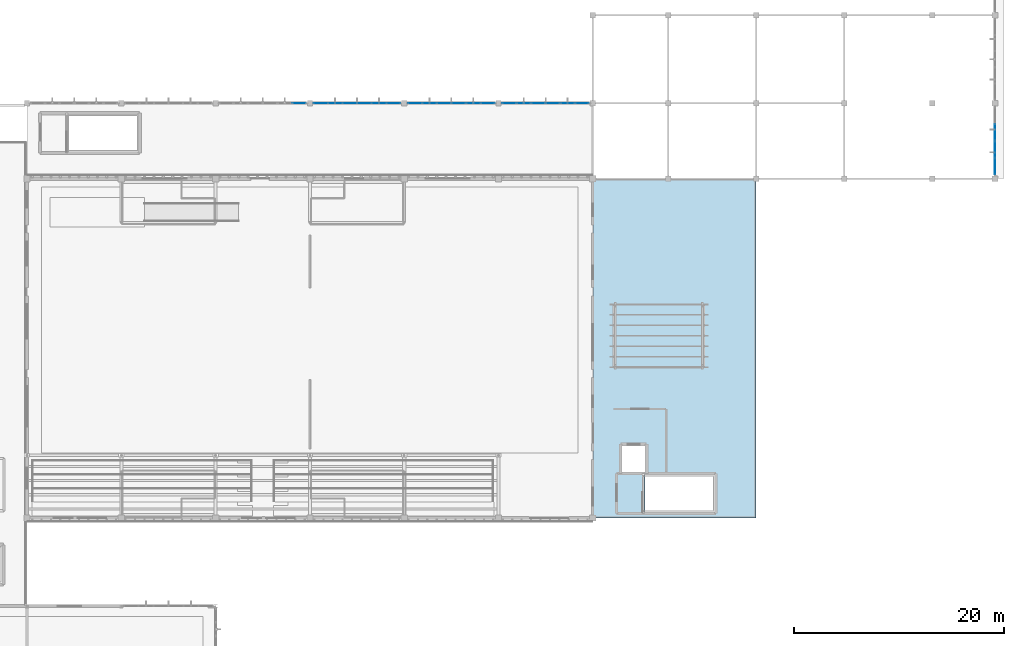
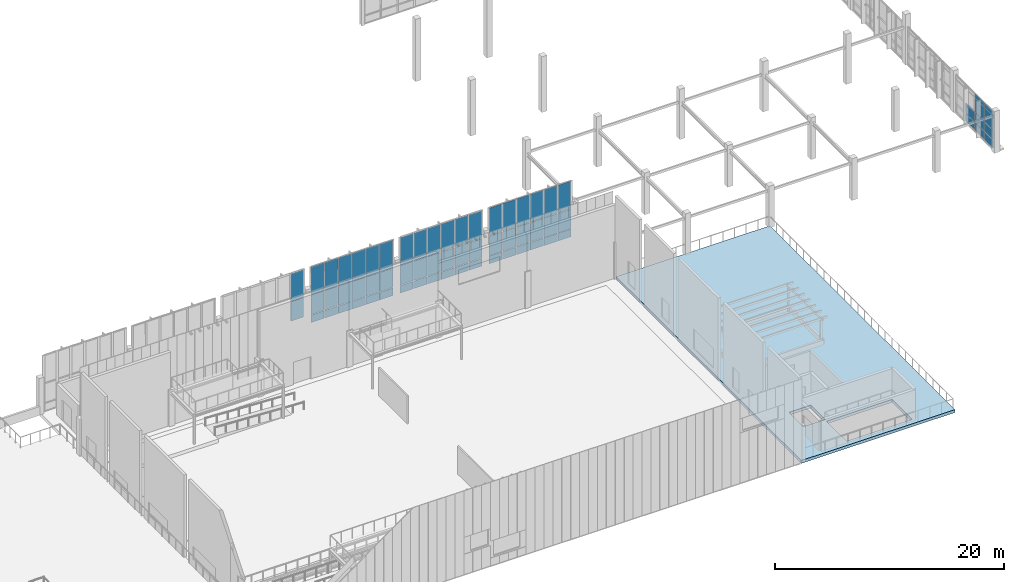
# One storey, part 38 of 67: 64 plates, 1 slab, 5 elements without a shape of their own.
"""IFC4 building model written with IfcOpenShell, lengths in metres."""

from ifc_helpers import new_model, si_unit, direction, frame, origin, origin_2d, place, context, subcontext, project, spatial, polyline, rectangle, outline, extrude, material, layer, layer_set, type_object, element, aggregate, save


model = new_model("IFC4")

# Units and contexts
model_context = context("Model", 3, precision=1e-05, world=origin(), true_north=direction((0.0, 1.0)))
body_context = subcontext(model_context, "Body", "Model", "MODEL_VIEW")
ifc_project = project(units=[si_unit("LENGTHUNIT", "METRE"), si_unit("AREAUNIT", "SQUARE_METRE"), si_unit("VOLUMEUNIT", "CUBIC_METRE"), si_unit("PLANEANGLEUNIT", "RADIAN"), si_unit("MASSUNIT", "GRAM", prefix="KILO")], contexts=[model_context])

# Site, building, storey
site_placement = place(None, origin())
site = spatial("IfcSite", under=ifc_project, at=site_placement, CompositionType="ELEMENT")
building_placement = place(site_placement, origin())
building = spatial("IfcBuilding", under=site, at=building_placement, Name="Tizgana Railside Sports Hall", CompositionType="ELEMENT")
storey_placement = place(building_placement, frame((0.0, 0.0, 12.0)))
storey = spatial("IfcBuildingStorey", under=building, at=storey_placement, Name="L02", CompositionType="ELEMENT", Elevation=12.0)

# Curtain wall, plates
ifc_material_1 = material(Name="Anodised aluminium and glass", Category="aluminium")
curtain_wall_type_1 = type_object("IfcCurtainWallType", Name="Unitised Curtain Wall Passage 1800", PredefinedType="NOTDEFINED", material=ifc_material_1)
curtain_wall_1_placement = place(storey_placement, origin())
curtain_wall_1 = element("IfcCurtainWall", 1, at=curtain_wall_1_placement, inside=storey, type_object=curtain_wall_type_1, Name="L02 Curtain Wall CW-0029", PredefinedType="NOTDEFINED")
ifc_material_2 = material(Name="Double low-E laminated glass", Category="glass")
ifc_layer_1 = layer(ifc_material_2, 0.033935546875, Name="Double low-E laminated glass")
ifc_layer_set_1 = layer_set([ifc_layer_1], Name="Double low-E laminated glass")
plate_type_1 = type_object("IfcPlateType", Name="Acoustic Laminated Glazing Panel 34", PredefinedType="CURTAIN_PANEL", material=ifc_layer_set_1)
plate_1_placement = place(storey_placement, frame((125.822998046875, 80.39990234375, 0.05517578125), z_axis=(0.0, 0.0, 1.0), x_axis=(1.0, 0.0, 0.0)))
plate_1 = element("IfcPlate", 2, at=plate_1_placement, type_object=plate_type_1, Name="CW-06 panel 1.1", PredefinedType="CURTAIN_PANEL", context=body_context, shape_type="SweptSolid", body=[
    extrude(rectangle(XDim=1.285888671875, YDim=0.033935546875, at=origin_2d()), origin(), (0.0, 0.0, 1.0), 0.8173828125),
])
plate_2_placement = place(storey_placement, frame((125.822998046875, 80.39990234375, 0.927734375), z_axis=(0.0, 0.0, 1.0), x_axis=(1.0, 0.0, 0.0)))
plate_2 = element("IfcPlate", 3, at=plate_2_placement, type_object=plate_type_1, Name="CW-06 panel 1.2", PredefinedType="CURTAIN_PANEL", context=body_context, shape_type="SweptSolid", body=[
    extrude(rectangle(XDim=1.285888671875, YDim=0.033935546875, at=origin_2d()), origin(), (0.0, 0.0, 1.0), 2.074951171875),
])
plate_3_placement = place(storey_placement, frame((125.822998046875, 80.39990234375, 3.0576171875), z_axis=(0.0, 0.0, 1.0), x_axis=(1.0, 0.0, 0.0)))
plate_3 = element("IfcPlate", 4, at=plate_3_placement, type_object=plate_type_1, Name="CW-06 panel 1.3", PredefinedType="CURTAIN_PANEL", context=body_context, shape_type="SweptSolid", body=[
    extrude(rectangle(XDim=1.285888671875, YDim=0.033935546875, at=origin_2d()), origin(), (0.0, 0.0, 1.0), 2.947509765625),
])
plate_4_placement = place(storey_placement, frame((127.202392578125, 80.39990234375, 0.05517578125), z_axis=(0.0, 0.0, 1.0), x_axis=(1.0, 0.0, 0.0)))
plate_4 = element("IfcPlate", 5, at=plate_4_placement, type_object=plate_type_1, Name="CW-06 panel 2.1", PredefinedType="CURTAIN_PANEL", context=body_context, shape_type="SweptSolid", body=[
    extrude(rectangle(XDim=1.3232421875, YDim=0.033935546875, at=origin_2d()), origin(), (0.0, 0.0, 1.0), 0.8173828125),
])
plate_5_placement = place(storey_placement, frame((127.202392578125, 80.39990234375, 0.927734375), z_axis=(0.0, 0.0, 1.0), x_axis=(1.0, 0.0, 0.0)))
plate_5 = element("IfcPlate", 6, at=plate_5_placement, type_object=plate_type_1, Name="CW-06 panel 2.2", PredefinedType="CURTAIN_PANEL", context=body_context, shape_type="SweptSolid", body=[
    extrude(rectangle(XDim=1.3232421875, YDim=0.033935546875, at=origin_2d()), origin(), (0.0, 0.0, 1.0), 2.074951171875),
])
plate_6_placement = place(storey_placement, frame((127.202392578125, 80.39990234375, 3.0576171875), z_axis=(0.0, 0.0, 1.0), x_axis=(1.0, 0.0, 0.0)))
plate_6 = element("IfcPlate", 7, at=plate_6_placement, type_object=plate_type_1, Name="CW-06 panel 2.3", PredefinedType="CURTAIN_PANEL", context=body_context, shape_type="SweptSolid", body=[
    extrude(rectangle(XDim=1.3232421875, YDim=0.033935546875, at=origin_2d()), origin(), (0.0, 0.0, 1.0), 2.947509765625),
])
plate_7_placement = place(storey_placement, frame((128.600830078125, 80.39990234375, 0.05517578125), z_axis=(0.0, 0.0, 1.0), x_axis=(1.0, 0.0, 0.0)))
plate_7 = element("IfcPlate", 8, at=plate_7_placement, type_object=plate_type_1, Name="CW-06 panel 3.1", PredefinedType="CURTAIN_PANEL", context=body_context, shape_type="SweptSolid", body=[
    extrude(rectangle(XDim=1.3232421875, YDim=0.033935546875, at=origin_2d()), origin(), (0.0, 0.0, 1.0), 0.8173828125),
])
plate_8_placement = place(storey_placement, frame((128.600830078125, 80.39990234375, 0.927734375), z_axis=(0.0, 0.0, 1.0), x_axis=(1.0, 0.0, 0.0)))
plate_8 = element("IfcPlate", 9, at=plate_8_placement, type_object=plate_type_1, Name="CW-06 panel 3.2", PredefinedType="CURTAIN_PANEL", context=body_context, shape_type="SweptSolid", body=[
    extrude(rectangle(XDim=1.3232421875, YDim=0.033935546875, at=origin_2d()), origin(), (0.0, 0.0, 1.0), 2.074951171875),
])
plate_9_placement = place(storey_placement, frame((128.600830078125, 80.39990234375, 3.0576171875), z_axis=(0.0, 0.0, 1.0), x_axis=(1.0, 0.0, 0.0)))
plate_9 = element("IfcPlate", 10, at=plate_9_placement, type_object=plate_type_1, Name="CW-06 panel 3.3", PredefinedType="CURTAIN_PANEL", context=body_context, shape_type="SweptSolid", body=[
    extrude(rectangle(XDim=1.3232421875, YDim=0.033935546875, at=origin_2d()), origin(), (0.0, 0.0, 1.0), 2.947509765625),
])
plate_10_placement = place(storey_placement, frame((129.999267578125, 80.39990234375, 0.05517578125), z_axis=(0.0, 0.0, 1.0), x_axis=(1.0, 0.0, 0.0)))
plate_10 = element("IfcPlate", 11, at=plate_10_placement, type_object=plate_type_1, Name="CW-06 panel 4.1", PredefinedType="CURTAIN_PANEL", context=body_context, shape_type="SweptSolid", body=[
    extrude(rectangle(XDim=1.3232421875, YDim=0.033935546875, at=origin_2d()), origin(), (0.0, 0.0, 1.0), 0.8173828125),
])
plate_11_placement = place(storey_placement, frame((129.999267578125, 80.39990234375, 0.927734375), z_axis=(0.0, 0.0, 1.0), x_axis=(1.0, 0.0, 0.0)))
plate_11 = element("IfcPlate", 12, at=plate_11_placement, type_object=plate_type_1, Name="CW-06 panel 4.2", PredefinedType="CURTAIN_PANEL", context=body_context, shape_type="SweptSolid", body=[
    extrude(rectangle(XDim=1.3232421875, YDim=0.033935546875, at=origin_2d()), origin(), (0.0, 0.0, 1.0), 2.074951171875),
])
plate_12_placement = place(storey_placement, frame((129.999267578125, 80.39990234375, 3.0576171875), z_axis=(0.0, 0.0, 1.0), x_axis=(1.0, 0.0, 0.0)))
plate_12 = element("IfcPlate", 13, at=plate_12_placement, type_object=plate_type_1, Name="CW-06 panel 4.3", PredefinedType="CURTAIN_PANEL", context=body_context, shape_type="SweptSolid", body=[
    extrude(rectangle(XDim=1.3232421875, YDim=0.033935546875, at=origin_2d()), origin(), (0.0, 0.0, 1.0), 2.947509765625),
])
plate_13_placement = place(storey_placement, frame((131.3974609375, 80.39990234375, 0.05517578125), z_axis=(0.0, 0.0, 1.0), x_axis=(1.0, 0.0, 0.0)))
plate_13 = element("IfcPlate", 14, at=plate_13_placement, type_object=plate_type_1, Name="CW-06 panel 5.1", PredefinedType="CURTAIN_PANEL", context=body_context, shape_type="SweptSolid", body=[
    extrude(rectangle(XDim=1.3232421875, YDim=0.033935546875, at=origin_2d()), origin(), (0.0, 0.0, 1.0), 0.8173828125),
])
plate_14_placement = place(storey_placement, frame((131.3974609375, 80.39990234375, 0.927734375), z_axis=(0.0, 0.0, 1.0), x_axis=(1.0, 0.0, 0.0)))
plate_14 = element("IfcPlate", 15, at=plate_14_placement, type_object=plate_type_1, Name="CW-06 panel 5.2", PredefinedType="CURTAIN_PANEL", context=body_context, shape_type="SweptSolid", body=[
    extrude(rectangle(XDim=1.3232421875, YDim=0.033935546875, at=origin_2d()), origin(), (0.0, 0.0, 1.0), 2.074951171875),
])
plate_15_placement = place(storey_placement, frame((131.3974609375, 80.39990234375, 3.0576171875), z_axis=(0.0, 0.0, 1.0), x_axis=(1.0, 0.0, 0.0)))
plate_15 = element("IfcPlate", 16, at=plate_15_placement, type_object=plate_type_1, Name="CW-06 panel 5.3", PredefinedType="CURTAIN_PANEL", context=body_context, shape_type="SweptSolid", body=[
    extrude(rectangle(XDim=1.3232421875, YDim=0.033935546875, at=origin_2d()), origin(), (0.0, 0.0, 1.0), 2.947509765625),
])
plate_16_placement = place(storey_placement, frame((132.777099609375, 80.39990234375, 0.05517578125), z_axis=(0.0, 0.0, 1.0), x_axis=(1.0, 0.0, 0.0)))
plate_16 = element("IfcPlate", 17, at=plate_16_placement, type_object=plate_type_1, Name="CW-06 panel 6.1", PredefinedType="CURTAIN_PANEL", context=body_context, shape_type="SweptSolid", body=[
    extrude(rectangle(XDim=1.285888671875, YDim=0.033935546875, at=origin_2d()), origin(), (0.0, 0.0, 1.0), 0.8173828125),
])
plate_17_placement = place(storey_placement, frame((132.777099609375, 80.39990234375, 0.927734375), z_axis=(0.0, 0.0, 1.0), x_axis=(1.0, 0.0, 0.0)))
plate_17 = element("IfcPlate", 18, at=plate_17_placement, type_object=plate_type_1, Name="CW-06 panel 6.2", PredefinedType="CURTAIN_PANEL", context=body_context, shape_type="SweptSolid", body=[
    extrude(rectangle(XDim=1.285888671875, YDim=0.033935546875, at=origin_2d()), origin(), (0.0, 0.0, 1.0), 2.074951171875),
])
plate_18_placement = place(storey_placement, frame((132.777099609375, 80.39990234375, 3.0576171875), z_axis=(0.0, 0.0, 1.0), x_axis=(1.0, 0.0, 0.0)))
plate_18 = element("IfcPlate", 19, at=plate_18_placement, type_object=plate_type_1, Name="CW-06 panel 6.3", PredefinedType="CURTAIN_PANEL", context=body_context, shape_type="SweptSolid", body=[
    extrude(rectangle(XDim=1.285888671875, YDim=0.033935546875, at=origin_2d()), origin(), (0.0, 0.0, 1.0), 2.947509765625),
])
aggregate(curtain_wall_1, [plate_1, plate_2, plate_3, plate_4, plate_5, plate_6, plate_7, plate_8, plate_9, plate_10, plate_11, plate_12, plate_13, plate_14, plate_15, plate_16, plate_17, plate_18])

curtain_wall_type_2 = type_object("IfcCurtainWallType", Name="Unitised Curtain Wall WestHall 1560", PredefinedType="NOTDEFINED", material=ifc_material_1)
curtain_wall_2_placement = place(storey_placement, origin())
curtain_wall_2 = element("IfcCurtainWall", 20, at=curtain_wall_2_placement, inside=storey, type_object=curtain_wall_type_2, Name="L02 Curtain Wall CW-0022", PredefinedType="NOTDEFINED")
ifc_layer_2 = layer(ifc_material_2, 0.0400390625, Name="Double low-E laminated glass")
ifc_layer_set_2 = layer_set([ifc_layer_2], Name="Double low-E laminated glass")
plate_type_2 = type_object("IfcPlateType", Name="High-Span Tempered Glazing Panel 40", PredefinedType="CURTAIN_PANEL", material=ifc_layer_set_2)
plate_19_placement = place(storey_placement, frame((105.7783203125, 80.39990234375, 0.93505859375), z_axis=(0.0, 0.0, 1.0), x_axis=(1.0, 0.0, 0.0)))
plate_19 = element("IfcPlate", 21, at=plate_19_placement, type_object=plate_type_2, Name="CW-07 panel 6.2", PredefinedType="CURTAIN_PANEL", context=body_context, shape_type="SweptSolid", body=[
    extrude(rectangle(XDim=1.293212890625, YDim=0.0400390625, at=origin_2d()), origin(), (0.0, 0.0, 1.0), 2.06005859375),
])
plate_20_placement = place(storey_placement, frame((105.7783203125, 80.39990234375, 3.06494140625), z_axis=(0.0, 0.0, 1.0), x_axis=(1.0, 0.0, 0.0)))
plate_20 = element("IfcPlate", 22, at=plate_20_placement, type_object=plate_type_2, Name="CW-07 panel 6.3", PredefinedType="CURTAIN_PANEL", context=body_context, shape_type="SweptSolid", body=[
    extrude(rectangle(XDim=1.293212890625, YDim=0.0400390625, at=origin_2d()), origin(), (0.0, 0.0, 1.0), 2.925048828125),
])
aggregate(curtain_wall_2, [plate_19, plate_20])

curtain_wall_type_3 = type_object("IfcCurtainWallType", Name="Unitised Curtain Wall Studio 1400", PredefinedType="NOTDEFINED", material=ifc_material_1)
curtain_wall_3_placement = place(storey_placement, origin())
curtain_wall_3 = element("IfcCurtainWall", 23, at=curtain_wall_3_placement, inside=storey, type_object=curtain_wall_type_3, Name="L02 Curtain Wall CW-0058", PredefinedType="NOTDEFINED")
plate_21_placement = place(storey_placement, frame((172.199951171875, 74.364990234375, 0.070068359375), z_axis=(0.0, 0.0, 1.0), x_axis=(0.0, 1.0, 0.0)))
plate_21 = element("IfcPlate", 24, at=plate_21_placement, type_object=plate_type_2, Name="CW-03 panel 1.1", PredefinedType="CURTAIN_PANEL", context=body_context, shape_type="SweptSolid", body=[
    extrude(rectangle(XDim=1.530029296875, YDim=0.0400390625, at=origin_2d()), origin(), (0.0, 0.0, 1.0), 0.794921875),
])
plate_22_placement = place(storey_placement, frame((172.199951171875, 74.364990234375, 0.93505859375), z_axis=(0.0, 0.0, 1.0), x_axis=(0.0, 1.0, 0.0)))
plate_22 = element("IfcPlate", 25, at=plate_22_placement, type_object=plate_type_2, Name="CW-03 panel 1.2", PredefinedType="CURTAIN_PANEL", context=body_context, shape_type="SweptSolid", body=[
    extrude(rectangle(XDim=1.530029296875, YDim=0.0400390625, at=origin_2d()), origin(), (0.0, 0.0, 1.0), 1.030029296875),
])
plate_23_placement = place(storey_placement, frame((172.199951171875, 74.364990234375, 2.034912109375), z_axis=(0.0, 0.0, 1.0), x_axis=(0.0, 1.0, 0.0)))
plate_23 = element("IfcPlate", 26, at=plate_23_placement, type_object=plate_type_2, Name="CW-03 panel 1.3", PredefinedType="CURTAIN_PANEL", context=body_context, shape_type="SweptSolid", body=[
    extrude(rectangle(XDim=1.530029296875, YDim=0.0400390625, at=origin_2d()), origin(), (0.0, 0.0, 1.0), 1.89501953125),
])
plate_24_placement = place(storey_placement, frame((172.199951171875, 75.982421875, 0.070068359375), z_axis=(0.0, 0.0, 1.0), x_axis=(0.0, 1.0, 0.0)))
plate_24 = element("IfcPlate", 27, at=plate_24_placement, type_object=plate_type_2, Name="CW-03 panel 2.1", PredefinedType="CURTAIN_PANEL", context=body_context, shape_type="SweptSolid", body=[
    extrude(rectangle(XDim=1.56494140625, YDim=0.0400390625, at=origin_2d()), origin(), (0.0, 0.0, 1.0), 0.794921875),
])
plate_25_placement = place(storey_placement, frame((172.199951171875, 75.982421875, 0.93505859375), z_axis=(0.0, 0.0, 1.0), x_axis=(0.0, 1.0, 0.0)))
plate_25 = element("IfcPlate", 28, at=plate_25_placement, type_object=plate_type_2, Name="CW-03 panel 2.2", PredefinedType="CURTAIN_PANEL", context=body_context, shape_type="SweptSolid", body=[
    extrude(rectangle(XDim=1.56494140625, YDim=0.0400390625, at=origin_2d()), origin(), (0.0, 0.0, 1.0), 1.030029296875),
])
plate_26_placement = place(storey_placement, frame((172.199951171875, 75.982421875, 2.034912109375), z_axis=(0.0, 0.0, 1.0), x_axis=(0.0, 1.0, 0.0)))
plate_26 = element("IfcPlate", 29, at=plate_26_placement, type_object=plate_type_2, Name="CW-03 panel 2.3", PredefinedType="CURTAIN_PANEL", context=body_context, shape_type="SweptSolid", body=[
    extrude(rectangle(XDim=1.56494140625, YDim=0.0400390625, at=origin_2d()), origin(), (0.0, 0.0, 1.0), 1.89501953125),
])
plate_27_placement = place(storey_placement, frame((172.199951171875, 77.617431640625, 0.070068359375), z_axis=(0.0, 0.0, 1.0), x_axis=(0.0, 1.0, 0.0)))
plate_27 = element("IfcPlate", 30, at=plate_27_placement, type_object=plate_type_2, Name="CW-03 panel 3.1", PredefinedType="CURTAIN_PANEL", context=body_context, shape_type="SweptSolid", body=[
    extrude(rectangle(XDim=1.56494140625, YDim=0.0400390625, at=origin_2d()), origin(), (0.0, 0.0, 1.0), 0.794921875),
])
plate_28_placement = place(storey_placement, frame((172.199951171875, 77.617431640625, 0.93505859375), z_axis=(0.0, 0.0, 1.0), x_axis=(0.0, 1.0, 0.0)))
plate_28 = element("IfcPlate", 31, at=plate_28_placement, type_object=plate_type_2, Name="CW-03 panel 3.2", PredefinedType="CURTAIN_PANEL", context=body_context, shape_type="SweptSolid", body=[
    extrude(rectangle(XDim=1.56494140625, YDim=0.0400390625, at=origin_2d()), origin(), (0.0, 0.0, 1.0), 1.030029296875),
])
aggregate(curtain_wall_3, [plate_21, plate_22, plate_23, plate_24, plate_25, plate_26, plate_27, plate_28])

curtain_wall_type_4 = type_object("IfcCurtainWallType", Name="Unitised Curtain Wall Climbing 1600", PredefinedType="NOTDEFINED", material=ifc_material_1)
curtain_wall_4_placement = place(storey_placement, origin())
curtain_wall_4 = element("IfcCurtainWall", 32, at=curtain_wall_4_placement, inside=storey, type_object=curtain_wall_type_4, Name="L02 Curtain Wall CW-0027", PredefinedType="NOTDEFINED")
ifc_layer_3 = layer(ifc_material_2, 0.031982421875, Name="Double low-E laminated glass")
ifc_layer_set_3 = layer_set([ifc_layer_3], Name="Double low-E laminated glass")
plate_type_3 = type_object("IfcPlateType", Name="North-Light Clerestory Glazing Panel 32", PredefinedType="CURTAIN_PANEL", material=ifc_layer_set_3)
plate_29_placement = place(storey_placement, frame((116.8203125, 80.39990234375, 0.06494140625), z_axis=(0.0, 0.0, 1.0), x_axis=(1.0, 0.0, 0.0)))
plate_29 = element("IfcPlate", 33, at=plate_29_placement, type_object=plate_type_3, Name="CW-04 panel 1.1", PredefinedType="CURTAIN_PANEL", context=body_context, shape_type="SweptSolid", body=[
    extrude(rectangle(XDim=1.30078125, YDim=0.031982421875, at=origin_2d()), origin(), (0.0, 0.0, 1.0), 0.802490234375),
])
plate_30_placement = place(storey_placement, frame((116.8203125, 80.39990234375, 0.9326171875), z_axis=(0.0, 0.0, 1.0), x_axis=(1.0, 0.0, 0.0)))
plate_30 = element("IfcPlate", 34, at=plate_30_placement, type_object=plate_type_3, Name="CW-04 panel 1.2", PredefinedType="CURTAIN_PANEL", context=body_context, shape_type="SweptSolid", body=[
    extrude(rectangle(XDim=1.30078125, YDim=0.031982421875, at=origin_2d()), origin(), (0.0, 0.0, 1.0), 2.06494140625),
])
plate_31_placement = place(storey_placement, frame((116.8203125, 80.39990234375, 3.0625), z_axis=(0.0, 0.0, 1.0), x_axis=(1.0, 0.0, 0.0)))
plate_31 = element("IfcPlate", 35, at=plate_31_placement, type_object=plate_type_3, Name="CW-04 panel 1.3", PredefinedType="CURTAIN_PANEL", context=body_context, shape_type="SweptSolid", body=[
    extrude(rectangle(XDim=1.30078125, YDim=0.031982421875, at=origin_2d()), origin(), (0.0, 0.0, 1.0), 2.9326171875),
])
plate_32_placement = place(storey_placement, frame((118.202392578125, 80.39990234375, 0.06494140625), z_axis=(0.0, 0.0, 1.0), x_axis=(1.0, 0.0, 0.0)))
plate_32 = element("IfcPlate", 36, at=plate_32_placement, type_object=plate_type_3, Name="CW-04 panel 2.1", PredefinedType="CURTAIN_PANEL", context=body_context, shape_type="SweptSolid", body=[
    extrude(rectangle(XDim=1.333251953125, YDim=0.031982421875, at=origin_2d()), origin(), (0.0, 0.0, 1.0), 0.802490234375),
])
plate_33_placement = place(storey_placement, frame((118.202392578125, 80.39990234375, 0.9326171875), z_axis=(0.0, 0.0, 1.0), x_axis=(1.0, 0.0, 0.0)))
plate_33 = element("IfcPlate", 37, at=plate_33_placement, type_object=plate_type_3, Name="CW-04 panel 2.2", PredefinedType="CURTAIN_PANEL", context=body_context, shape_type="SweptSolid", body=[
    extrude(rectangle(XDim=1.333251953125, YDim=0.031982421875, at=origin_2d()), origin(), (0.0, 0.0, 1.0), 2.06494140625),
])
plate_34_placement = place(storey_placement, frame((118.202392578125, 80.39990234375, 3.0625), z_axis=(0.0, 0.0, 1.0), x_axis=(1.0, 0.0, 0.0)))
plate_34 = element("IfcPlate", 38, at=plate_34_placement, type_object=plate_type_3, Name="CW-04 panel 2.3", PredefinedType="CURTAIN_PANEL", context=body_context, shape_type="SweptSolid", body=[
    extrude(rectangle(XDim=1.333251953125, YDim=0.031982421875, at=origin_2d()), origin(), (0.0, 0.0, 1.0), 2.9326171875),
])
plate_35_placement = place(storey_placement, frame((119.600830078125, 80.39990234375, 0.06494140625), z_axis=(0.0, 0.0, 1.0), x_axis=(1.0, 0.0, 0.0)))
plate_35 = element("IfcPlate", 39, at=plate_35_placement, type_object=plate_type_3, Name="CW-04 panel 3.1", PredefinedType="CURTAIN_PANEL", context=body_context, shape_type="SweptSolid", body=[
    extrude(rectangle(XDim=1.333251953125, YDim=0.031982421875, at=origin_2d()), origin(), (0.0, 0.0, 1.0), 0.802490234375),
])
plate_36_placement = place(storey_placement, frame((119.600830078125, 80.39990234375, 0.9326171875), z_axis=(0.0, 0.0, 1.0), x_axis=(1.0, 0.0, 0.0)))
plate_36 = element("IfcPlate", 40, at=plate_36_placement, type_object=plate_type_3, Name="CW-04 panel 3.2", PredefinedType="CURTAIN_PANEL", context=body_context, shape_type="SweptSolid", body=[
    extrude(rectangle(XDim=1.333251953125, YDim=0.031982421875, at=origin_2d()), origin(), (0.0, 0.0, 1.0), 2.06494140625),
])
plate_37_placement = place(storey_placement, frame((119.600830078125, 80.39990234375, 3.0625), z_axis=(0.0, 0.0, 1.0), x_axis=(1.0, 0.0, 0.0)))
plate_37 = element("IfcPlate", 41, at=plate_37_placement, type_object=plate_type_3, Name="CW-04 panel 3.3", PredefinedType="CURTAIN_PANEL", context=body_context, shape_type="SweptSolid", body=[
    extrude(rectangle(XDim=1.333251953125, YDim=0.031982421875, at=origin_2d()), origin(), (0.0, 0.0, 1.0), 2.9326171875),
])
plate_38_placement = place(storey_placement, frame((120.999267578125, 80.39990234375, 0.06494140625), z_axis=(0.0, 0.0, 1.0), x_axis=(1.0, 0.0, 0.0)))
plate_38 = element("IfcPlate", 42, at=plate_38_placement, type_object=plate_type_3, Name="CW-04 panel 4.1", PredefinedType="CURTAIN_PANEL", context=body_context, shape_type="SweptSolid", body=[
    extrude(rectangle(XDim=1.333251953125, YDim=0.031982421875, at=origin_2d()), origin(), (0.0, 0.0, 1.0), 0.802490234375),
])
plate_39_placement = place(storey_placement, frame((120.999267578125, 80.39990234375, 0.9326171875), z_axis=(0.0, 0.0, 1.0), x_axis=(1.0, 0.0, 0.0)))
plate_39 = element("IfcPlate", 43, at=plate_39_placement, type_object=plate_type_3, Name="CW-04 panel 4.2", PredefinedType="CURTAIN_PANEL", context=body_context, shape_type="SweptSolid", body=[
    extrude(rectangle(XDim=1.333251953125, YDim=0.031982421875, at=origin_2d()), origin(), (0.0, 0.0, 1.0), 2.06494140625),
])
plate_40_placement = place(storey_placement, frame((120.999267578125, 80.39990234375, 3.0625), z_axis=(0.0, 0.0, 1.0), x_axis=(1.0, 0.0, 0.0)))
plate_40 = element("IfcPlate", 44, at=plate_40_placement, type_object=plate_type_3, Name="CW-04 panel 4.3", PredefinedType="CURTAIN_PANEL", context=body_context, shape_type="SweptSolid", body=[
    extrude(rectangle(XDim=1.333251953125, YDim=0.031982421875, at=origin_2d()), origin(), (0.0, 0.0, 1.0), 2.9326171875),
])
plate_41_placement = place(storey_placement, frame((122.3974609375, 80.39990234375, 0.06494140625), z_axis=(0.0, 0.0, 1.0), x_axis=(1.0, 0.0, 0.0)))
plate_41 = element("IfcPlate", 45, at=plate_41_placement, type_object=plate_type_3, Name="CW-04 panel 5.1", PredefinedType="CURTAIN_PANEL", context=body_context, shape_type="SweptSolid", body=[
    extrude(rectangle(XDim=1.333251953125, YDim=0.031982421875, at=origin_2d()), origin(), (0.0, 0.0, 1.0), 0.802490234375),
])
plate_42_placement = place(storey_placement, frame((122.3974609375, 80.39990234375, 0.9326171875), z_axis=(0.0, 0.0, 1.0), x_axis=(1.0, 0.0, 0.0)))
plate_42 = element("IfcPlate", 46, at=plate_42_placement, type_object=plate_type_3, Name="CW-04 panel 5.2", PredefinedType="CURTAIN_PANEL", context=body_context, shape_type="SweptSolid", body=[
    extrude(rectangle(XDim=1.333251953125, YDim=0.031982421875, at=origin_2d()), origin(), (0.0, 0.0, 1.0), 2.06494140625),
])
plate_43_placement = place(storey_placement, frame((122.3974609375, 80.39990234375, 3.0625), z_axis=(0.0, 0.0, 1.0), x_axis=(1.0, 0.0, 0.0)))
plate_43 = element("IfcPlate", 47, at=plate_43_placement, type_object=plate_type_3, Name="CW-04 panel 5.3", PredefinedType="CURTAIN_PANEL", context=body_context, shape_type="SweptSolid", body=[
    extrude(rectangle(XDim=1.333251953125, YDim=0.031982421875, at=origin_2d()), origin(), (0.0, 0.0, 1.0), 2.9326171875),
])
plate_44_placement = place(storey_placement, frame((123.779541015625, 80.39990234375, 0.06494140625), z_axis=(0.0, 0.0, 1.0), x_axis=(1.0, 0.0, 0.0)))
plate_44 = element("IfcPlate", 48, at=plate_44_placement, type_object=plate_type_3, Name="CW-04 panel 6.1", PredefinedType="CURTAIN_PANEL", context=body_context, shape_type="SweptSolid", body=[
    extrude(rectangle(XDim=1.30078125, YDim=0.031982421875, at=origin_2d()), origin(), (0.0, 0.0, 1.0), 0.802490234375),
])
plate_45_placement = place(storey_placement, frame((123.779541015625, 80.39990234375, 0.9326171875), z_axis=(0.0, 0.0, 1.0), x_axis=(1.0, 0.0, 0.0)))
plate_45 = element("IfcPlate", 49, at=plate_45_placement, type_object=plate_type_3, Name="CW-04 panel 6.2", PredefinedType="CURTAIN_PANEL", context=body_context, shape_type="SweptSolid", body=[
    extrude(rectangle(XDim=1.30078125, YDim=0.031982421875, at=origin_2d()), origin(), (0.0, 0.0, 1.0), 2.06494140625),
])
plate_46_placement = place(storey_placement, frame((123.779541015625, 80.39990234375, 3.0625), z_axis=(0.0, 0.0, 1.0), x_axis=(1.0, 0.0, 0.0)))
plate_46 = element("IfcPlate", 50, at=plate_46_placement, type_object=plate_type_3, Name="CW-04 panel 6.3", PredefinedType="CURTAIN_PANEL", context=body_context, shape_type="SweptSolid", body=[
    extrude(rectangle(XDim=1.30078125, YDim=0.031982421875, at=origin_2d()), origin(), (0.0, 0.0, 1.0), 2.9326171875),
])
aggregate(curtain_wall_4, [plate_29, plate_30, plate_31, plate_32, plate_33, plate_34, plate_35, plate_36, plate_37, plate_38, plate_39, plate_40, plate_41, plate_42, plate_43, plate_44, plate_45, plate_46])

# Slab
ifc_material_3 = material(Name="Concrete C35/45", Category="concrete")
ifc_layer_4 = layer(ifc_material_3, 0.31005859375, Name="Concrete C35/45")
ifc_layer_set_4 = layer_set([ifc_layer_4], Name="Concrete C35/45")
slab_type = type_object("IfcSlabType", Name="Planted Roof Garden Deck 310", PredefinedType="FLOOR", material=ifc_layer_set_4)
slab_placement = place(storey_placement, frame((0.0, 0.0, -0.31005859375)))
element("IfcSlab", 51, at=slab_placement, inside=storey, type_object=slab_type, Name="L02 East Link Planted Roof Terrace SLB-0028", PredefinedType="FLOOR", context=body_context, shape_type="SweptSolid", body=[
    extrude(outline(polyline([(133.85009765625, 40.800048828125), (149.39990234375, 40.800048828125), (149.39990234375, 73.199951171875), (133.85009765625, 73.199951171875), (133.85009765625, 40.800048828125)]), holes=[polyline([(138.780029296875, 41.39990234375), (145.39990234375, 41.39990234375), (145.39990234375, 44.89990234375), (138.780029296875, 44.89990234375), (138.780029296875, 41.39990234375)]), polyline([(136.60009765625, 45.199951171875), (138.800048828125, 45.199951171875), (138.800048828125, 47.699951171875), (136.60009765625, 47.699951171875), (136.60009765625, 45.199951171875)])]), origin(), (0.0, 0.0, 1.0), 0.31005859375),
])

# Curtain wall, plates
curtain_wall_type_5 = type_object("IfcCurtainWallType", Name="Unitised Curtain Wall Concourse 1500", PredefinedType="NOTDEFINED", material=ifc_material_1)
curtain_wall_5_placement = place(storey_placement, origin())
curtain_wall_5 = element("IfcCurtainWall", 52, at=curtain_wall_5_placement, inside=storey, type_object=curtain_wall_type_5, Name="L02 Curtain Wall CW-0024", PredefinedType="NOTDEFINED")
ifc_layer_5 = layer(ifc_material_2, 0.028076171875, Name="Double low-E laminated glass")
ifc_layer_set_5 = layer_set([ifc_layer_5], Name="Double low-E laminated glass")
plate_type_4 = type_object("IfcPlateType", Name="Solar Low-E Glazing Panel 28", PredefinedType="CURTAIN_PANEL", material=ifc_layer_set_5)
plate_47_placement = place(storey_placement, frame((107.819091796875, 80.39990234375, 0.06005859375), z_axis=(0.0, 0.0, 1.0), x_axis=(1.0, 0.0, 0.0)))
plate_47 = element("IfcPlate", 53, at=plate_47_placement, type_object=plate_type_4, Name="CW-01 panel 1.1", PredefinedType="CURTAIN_PANEL", context=body_context, shape_type="SweptSolid", body=[
    extrude(rectangle(XDim=1.308349609375, YDim=0.028076171875, at=origin_2d()), origin(), (0.0, 0.0, 1.0), 0.81005859375),
])
plate_48_placement = place(storey_placement, frame((107.819091796875, 80.39990234375, 0.93017578125), z_axis=(0.0, 0.0, 1.0), x_axis=(1.0, 0.0, 0.0)))
plate_48 = element("IfcPlate", 54, at=plate_48_placement, type_object=plate_type_4, Name="CW-01 panel 1.2", PredefinedType="CURTAIN_PANEL", context=body_context, shape_type="SweptSolid", body=[
    extrude(rectangle(XDim=1.308349609375, YDim=0.028076171875, at=origin_2d()), origin(), (0.0, 0.0, 1.0), 2.070068359375),
])
plate_49_placement = place(storey_placement, frame((107.819091796875, 80.39990234375, 3.06005859375), z_axis=(0.0, 0.0, 1.0), x_axis=(1.0, 0.0, 0.0)))
plate_49 = element("IfcPlate", 55, at=plate_49_placement, type_object=plate_type_4, Name="CW-01 panel 1.3", PredefinedType="CURTAIN_PANEL", context=body_context, shape_type="SweptSolid", body=[
    extrude(rectangle(XDim=1.308349609375, YDim=0.028076171875, at=origin_2d()), origin(), (0.0, 0.0, 1.0), 2.93994140625),
])
plate_50_placement = place(storey_placement, frame((109.202392578125, 80.39990234375, 0.06005859375), z_axis=(0.0, 0.0, 1.0), x_axis=(1.0, 0.0, 0.0)))
plate_50 = element("IfcPlate", 56, at=plate_50_placement, type_object=plate_type_4, Name="CW-01 panel 2.1", PredefinedType="CURTAIN_PANEL", context=body_context, shape_type="SweptSolid", body=[
    extrude(rectangle(XDim=1.33837890625, YDim=0.028076171875, at=origin_2d()), origin(), (0.0, 0.0, 1.0), 0.81005859375),
])
plate_51_placement = place(storey_placement, frame((109.202392578125, 80.39990234375, 0.93017578125), z_axis=(0.0, 0.0, 1.0), x_axis=(1.0, 0.0, 0.0)))
plate_51 = element("IfcPlate", 57, at=plate_51_placement, type_object=plate_type_4, Name="CW-01 panel 2.2", PredefinedType="CURTAIN_PANEL", context=body_context, shape_type="SweptSolid", body=[
    extrude(rectangle(XDim=1.33837890625, YDim=0.028076171875, at=origin_2d()), origin(), (0.0, 0.0, 1.0), 2.070068359375),
])
plate_52_placement = place(storey_placement, frame((109.202392578125, 80.39990234375, 3.06005859375), z_axis=(0.0, 0.0, 1.0), x_axis=(1.0, 0.0, 0.0)))
plate_52 = element("IfcPlate", 58, at=plate_52_placement, type_object=plate_type_4, Name="CW-01 panel 2.3", PredefinedType="CURTAIN_PANEL", context=body_context, shape_type="SweptSolid", body=[
    extrude(rectangle(XDim=1.33837890625, YDim=0.028076171875, at=origin_2d()), origin(), (0.0, 0.0, 1.0), 2.93994140625),
])
plate_53_placement = place(storey_placement, frame((110.600830078125, 80.39990234375, 0.06005859375), z_axis=(0.0, 0.0, 1.0), x_axis=(1.0, 0.0, 0.0)))
plate_53 = element("IfcPlate", 59, at=plate_53_placement, type_object=plate_type_4, Name="CW-01 panel 3.1", PredefinedType="CURTAIN_PANEL", context=body_context, shape_type="SweptSolid", body=[
    extrude(rectangle(XDim=1.33837890625, YDim=0.028076171875, at=origin_2d()), origin(), (0.0, 0.0, 1.0), 0.81005859375),
])
plate_54_placement = place(storey_placement, frame((110.600830078125, 80.39990234375, 0.93017578125), z_axis=(0.0, 0.0, 1.0), x_axis=(1.0, 0.0, 0.0)))
plate_54 = element("IfcPlate", 60, at=plate_54_placement, type_object=plate_type_4, Name="CW-01 panel 3.2", PredefinedType="CURTAIN_PANEL", context=body_context, shape_type="SweptSolid", body=[
    extrude(rectangle(XDim=1.33837890625, YDim=0.028076171875, at=origin_2d()), origin(), (0.0, 0.0, 1.0), 2.070068359375),
])
plate_55_placement = place(storey_placement, frame((110.600830078125, 80.39990234375, 3.06005859375), z_axis=(0.0, 0.0, 1.0), x_axis=(1.0, 0.0, 0.0)))
plate_55 = element("IfcPlate", 61, at=plate_55_placement, type_object=plate_type_4, Name="CW-01 panel 3.3", PredefinedType="CURTAIN_PANEL", context=body_context, shape_type="SweptSolid", body=[
    extrude(rectangle(XDim=1.33837890625, YDim=0.028076171875, at=origin_2d()), origin(), (0.0, 0.0, 1.0), 2.93994140625),
])
plate_56_placement = place(storey_placement, frame((111.999267578125, 80.39990234375, 0.06005859375), z_axis=(0.0, 0.0, 1.0), x_axis=(1.0, 0.0, 0.0)))
plate_56 = element("IfcPlate", 62, at=plate_56_placement, type_object=plate_type_4, Name="CW-01 panel 4.1", PredefinedType="CURTAIN_PANEL", context=body_context, shape_type="SweptSolid", body=[
    extrude(rectangle(XDim=1.33837890625, YDim=0.028076171875, at=origin_2d()), origin(), (0.0, 0.0, 1.0), 0.81005859375),
])
plate_57_placement = place(storey_placement, frame((111.999267578125, 80.39990234375, 0.93017578125), z_axis=(0.0, 0.0, 1.0), x_axis=(1.0, 0.0, 0.0)))
plate_57 = element("IfcPlate", 63, at=plate_57_placement, type_object=plate_type_4, Name="CW-01 panel 4.2", PredefinedType="CURTAIN_PANEL", context=body_context, shape_type="SweptSolid", body=[
    extrude(rectangle(XDim=1.33837890625, YDim=0.028076171875, at=origin_2d()), origin(), (0.0, 0.0, 1.0), 2.070068359375),
])
plate_58_placement = place(storey_placement, frame((111.999267578125, 80.39990234375, 3.06005859375), z_axis=(0.0, 0.0, 1.0), x_axis=(1.0, 0.0, 0.0)))
plate_58 = element("IfcPlate", 64, at=plate_58_placement, type_object=plate_type_4, Name="CW-01 panel 4.3", PredefinedType="CURTAIN_PANEL", context=body_context, shape_type="SweptSolid", body=[
    extrude(rectangle(XDim=1.33837890625, YDim=0.028076171875, at=origin_2d()), origin(), (0.0, 0.0, 1.0), 2.93994140625),
])
plate_59_placement = place(storey_placement, frame((113.3974609375, 80.39990234375, 0.06005859375), z_axis=(0.0, 0.0, 1.0), x_axis=(1.0, 0.0, 0.0)))
plate_59 = element("IfcPlate", 65, at=plate_59_placement, type_object=plate_type_4, Name="CW-01 panel 5.1", PredefinedType="CURTAIN_PANEL", context=body_context, shape_type="SweptSolid", body=[
    extrude(rectangle(XDim=1.33837890625, YDim=0.028076171875, at=origin_2d()), origin(), (0.0, 0.0, 1.0), 0.81005859375),
])
plate_60_placement = place(storey_placement, frame((113.3974609375, 80.39990234375, 0.93017578125), z_axis=(0.0, 0.0, 1.0), x_axis=(1.0, 0.0, 0.0)))
plate_60 = element("IfcPlate", 66, at=plate_60_placement, type_object=plate_type_4, Name="CW-01 panel 5.2", PredefinedType="CURTAIN_PANEL", context=body_context, shape_type="SweptSolid", body=[
    extrude(rectangle(XDim=1.33837890625, YDim=0.028076171875, at=origin_2d()), origin(), (0.0, 0.0, 1.0), 2.070068359375),
])
plate_61_placement = place(storey_placement, frame((113.3974609375, 80.39990234375, 3.06005859375), z_axis=(0.0, 0.0, 1.0), x_axis=(1.0, 0.0, 0.0)))
plate_61 = element("IfcPlate", 67, at=plate_61_placement, type_object=plate_type_4, Name="CW-01 panel 5.3", PredefinedType="CURTAIN_PANEL", context=body_context, shape_type="SweptSolid", body=[
    extrude(rectangle(XDim=1.33837890625, YDim=0.028076171875, at=origin_2d()), origin(), (0.0, 0.0, 1.0), 2.93994140625),
])
plate_62_placement = place(storey_placement, frame((114.78076171875, 80.39990234375, 0.06005859375), z_axis=(0.0, 0.0, 1.0), x_axis=(1.0, 0.0, 0.0)))
plate_62 = element("IfcPlate", 68, at=plate_62_placement, type_object=plate_type_4, Name="CW-01 panel 6.1", PredefinedType="CURTAIN_PANEL", context=body_context, shape_type="SweptSolid", body=[
    extrude(rectangle(XDim=1.308349609375, YDim=0.028076171875, at=origin_2d()), origin(), (0.0, 0.0, 1.0), 0.81005859375),
])
plate_63_placement = place(storey_placement, frame((114.78076171875, 80.39990234375, 0.93017578125), z_axis=(0.0, 0.0, 1.0), x_axis=(1.0, 0.0, 0.0)))
plate_63 = element("IfcPlate", 69, at=plate_63_placement, type_object=plate_type_4, Name="CW-01 panel 6.2", PredefinedType="CURTAIN_PANEL", context=body_context, shape_type="SweptSolid", body=[
    extrude(rectangle(XDim=1.308349609375, YDim=0.028076171875, at=origin_2d()), origin(), (0.0, 0.0, 1.0), 2.070068359375),
])
plate_64_placement = place(storey_placement, frame((114.78076171875, 80.39990234375, 3.06005859375), z_axis=(0.0, 0.0, 1.0), x_axis=(1.0, 0.0, 0.0)))
plate_64 = element("IfcPlate", 70, at=plate_64_placement, type_object=plate_type_4, Name="CW-01 panel 6.3", PredefinedType="CURTAIN_PANEL", context=body_context, shape_type="SweptSolid", body=[
    extrude(rectangle(XDim=1.308349609375, YDim=0.028076171875, at=origin_2d()), origin(), (0.0, 0.0, 1.0), 2.93994140625),
])
aggregate(curtain_wall_5, [plate_47, plate_48, plate_49, plate_50, plate_51, plate_52, plate_53, plate_54, plate_55, plate_56, plate_57, plate_58, plate_59, plate_60, plate_61, plate_62, plate_63, plate_64])

save(model, "model.ifc")
